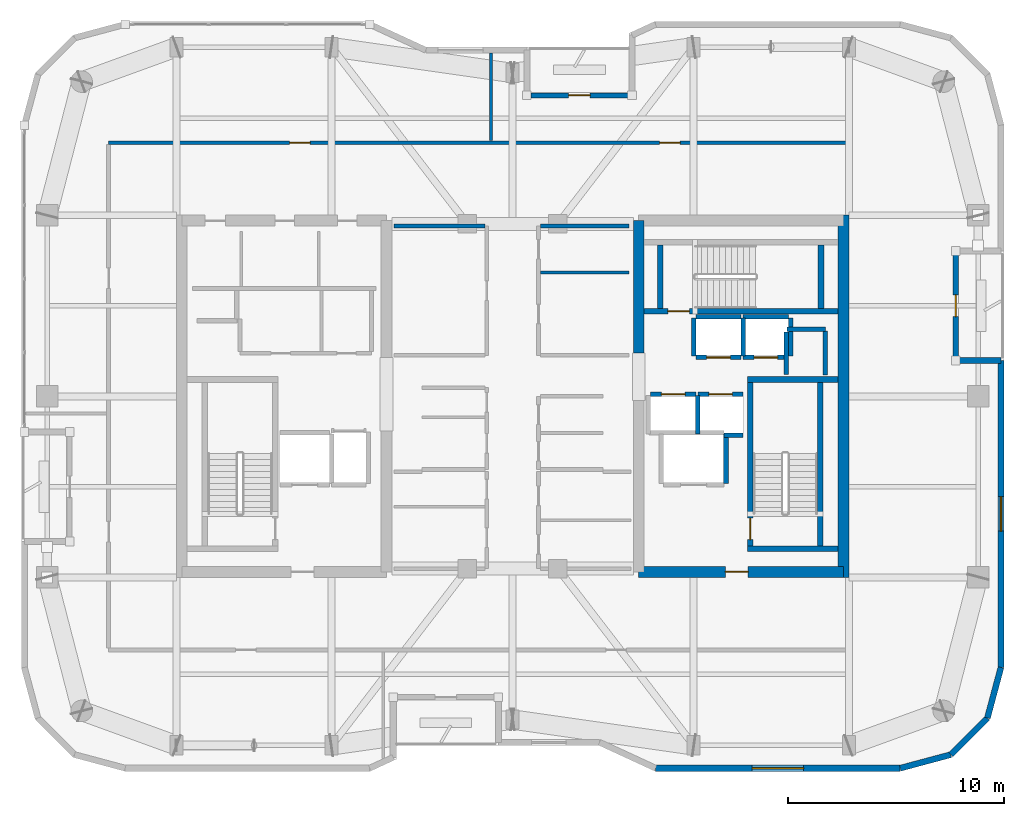
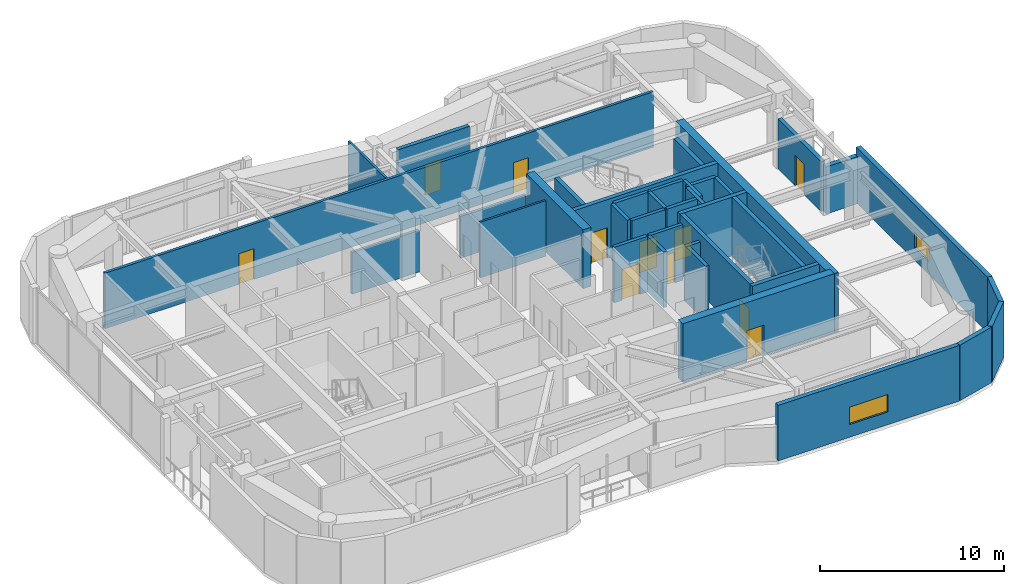
# One storey, part 12 of 15: 38 walls, 11 doors, 2 windows, 13 openings.
"""IFC4 building model written with IfcOpenShell, lengths in metres."""

from ifc_helpers import new_model, si_unit, direction, frame, frame_2d, origin, place, context, subcontext, project, spatial, rectangle, extrude, material, layer, layer_set, type_object, element, fill, save


model = new_model("IFC4")

# Units and contexts
model_context = context("Model", 3, precision=1e-05, world=origin(), true_north=direction((0.0, 1.0)))
body_context = subcontext(model_context, "Body", "Model", "MODEL_VIEW")
ifc_project = project(units=[si_unit("LENGTHUNIT", "METRE"), si_unit("AREAUNIT", "SQUARE_METRE"), si_unit("VOLUMEUNIT", "CUBIC_METRE"), si_unit("PLANEANGLEUNIT", "RADIAN"), si_unit("MASSUNIT", "GRAM", prefix="KILO")], contexts=[model_context])

# Site, building, storey
site_placement = place(None, origin())
site = spatial("IfcSite", under=ifc_project, at=site_placement, CompositionType="ELEMENT")
building_placement = place(site_placement, origin())
building = spatial("IfcBuilding", under=site, at=building_placement, Name="Kiyonajd Concourse Tower", CompositionType="ELEMENT")
storey_placement = place(building_placement, frame((0.0, 0.0, 290.10009765625)))
storey = spatial("IfcBuildingStorey", under=building, at=storey_placement, Name="L73", CompositionType="ELEMENT", Elevation=290.10009765625)

# Walls
ifc_material_1 = material(Name="Concrete C60/75", Category="concrete")
ifc_layer_1 = layer(ifc_material_1, 0.5)
ifc_layer_set_1 = layer_set([ifc_layer_1], Name="Concrete C60/75")
wall_type_1 = type_object("IfcWallType", Name="WL-CORE-500", PredefinedType="SHEAR", material=ifc_layer_set_1)
wall_1_placement = place(storey_placement, frame((53.85009765625, 38.0, 0.0), z_axis=(0.0, 0.0, 1.0), x_axis=(0.0, 1.0, 0.0)))
element("IfcWall", 1, at=wall_1_placement, inside=storey, type_object=wall_type_1, Name="L73 East Core Inner North Shear Wall", PredefinedType="SHEAR", context=body_context, shape_type="SweptSolid", body=[
    extrude(rectangle(XDim=6.14990234375, YDim=0.5, at=frame_2d((3.074951171875, 0.0))), origin(), (0.0, 0.0, 1.0), 3.89990234375),
])
wall_2_placement = place(storey_placement, frame((63.35009765625, 27.60009765625, 0.0), z_axis=(0.0, 0.0, 1.0), x_axis=(0.0, 1.0, 0.0)))
element("IfcWall", 2, at=wall_2_placement, inside=storey, type_object=wall_type_1, Name="L73 East Core Outer Shear Wall", PredefinedType="SHEAR", context=body_context, shape_type="SweptSolid", body=[
    extrude(rectangle(XDim=16.7998046875, YDim=0.5, at=frame_2d((8.39990234375, 0.0))), origin(), (0.0, 0.0, 1.0), 3.89990234375),
])

# Wall, opening, door
wall_3_placement = place(storey_placement, frame((53.85009765625, 27.85009765625, 0.0), z_axis=(0.0, 0.0, 1.0), x_axis=(1.0, 0.0, 0.0)))
wall_3 = element("IfcWall", 3, at=wall_3_placement, inside=storey, type_object=wall_type_1, Name="L73 East Core South Shear Wall", PredefinedType="SHEAR", context=body_context, shape_type="SweptSolid", body=[
    extrude(rectangle(XDim=9.5, YDim=0.5, at=frame_2d((4.75, 0.0))), origin(), (0.0, 0.0, 1.0), 3.89990234375),
])
opening_1_placement = place(wall_3_placement, frame((4.02490234375, 0.0, 0.0)))
opening_1 = element("IfcOpeningElement", 4, at=opening_1_placement, cuts=wall_3, Name="Opening DF5", PredefinedType="OPENING", context=body_context, shape_type="SweptSolid", body=[
    extrude(rectangle(XDim=1.050048828125, YDim=2.0400390625, at=frame_2d((0.52490234375, 1.02001953125))), frame((0.0, 0.260009765625, 0.0), z_axis=(0.0, -1.0, 0.0), x_axis=(1.0, 0.0, 0.0)), (0.0, 0.0, 1.0), 0.52001953125),
])
ifc_material_2 = material(Name="Brushed Stainless Steel Cab Assembly", Category="steel")
door_type_1 = type_object("IfcDoorType", Name="DR-FD45-1050", OperationType="NOTDEFINED", PredefinedType="DOOR", material=ifc_material_2)
door_1_placement = place(opening_1_placement, origin())
door_1 = element("IfcDoor", 5, at=door_1_placement, inside=storey, type_object=door_type_1, Name="L73 Firefighting Lift Lobby E Smoke Door", OperationType="SINGLE_SWING_RIGHT", OverallHeight=2.0400390625, OverallWidth=1.050048828125, PredefinedType="DOOR", context=body_context, shape_type="SweptSolid", body=[
    extrude(rectangle(XDim=1.050048828125, YDim=2.0400390625, at=frame_2d((0.52490234375, 1.02001953125))), frame((0.0, 0.02490234375, 0.0), z_axis=(0.0, -1.0, 0.0), x_axis=(1.0, 0.0, 0.0)), (0.0, 0.0, 1.0), 0.050048828125),
])
fill(opening_1, door_1)

# Wall
ifc_material_3 = material(Name="Precast concrete C50/60", Category="concrete")
ifc_layer_2 = layer(ifc_material_3, 0.280029296875)
ifc_layer_set_2 = layer_set([ifc_layer_2], Name="Precast concrete C50/60")
wall_type_2 = type_object("IfcWallType", Name="WL-EXT-280", PredefinedType="SOLIDWALL", material=ifc_layer_set_2)
wall_4_placement = place(storey_placement, frame((68.56005859375, 37.659912109375, 0.0), z_axis=(0.0, 0.0, 1.0), x_axis=(1.0, 0.0, 0.0)))
element("IfcWall", 6, at=wall_4_placement, inside=storey, type_object=wall_type_2, Name="L73 Exterior Concrete Frame Wall 23", PredefinedType="SOLIDWALL", context=body_context, shape_type="SweptSolid", body=[
    extrude(rectangle(XDim=2.099853515625, YDim=0.280029296875, at=frame_2d((1.0498046875, 0.0))), origin(), (0.0, 0.0, 1.0), 3.1259765625),
])

# Wall, opening, window
wall_5_placement = place(storey_placement, frame((70.659912109375, 37.659912109375, 0.0), z_axis=(0.0, 0.0, 1.0), x_axis=(0.0, -1.0, 0.0)))
wall_5 = element("IfcWall", 7, at=wall_5_placement, inside=storey, type_object=wall_type_2, Name="L73 Exterior Concrete Frame Wall 24", PredefinedType="SOLIDWALL", context=body_context, shape_type="SweptSolid", body=[
    extrude(rectangle(XDim=14.241455078125, YDim=0.280029296875, at=frame_2d((7.12060546875, 0.0))), origin(), (0.0, 0.0, 1.0), 3.679931640625),
])
opening_2_placement = place(wall_5_placement, frame((6.321044921875, 0.0, 0.85009765625)))
opening_2 = element("IfcOpeningElement", 8, at=opening_2_placement, cuts=wall_5, Name="Opening WN6", PredefinedType="OPENING", context=body_context, shape_type="SweptSolid", body=[
    extrude(rectangle(XDim=1.60009765625, YDim=1.0, at=frame_2d((0.800048828125, 0.5))), frame((0.0, 0.14990234375, 0.0), z_axis=(0.0, -1.0, 0.0), x_axis=(1.0, 0.0, 0.0)), (0.0, 0.0, 1.0), 0.300048828125),
])
ifc_material_4 = material(Name="Double Low-E Insulated Glass", Category="glass")
window_type_1 = type_object("IfcWindowType", Name="WN-VIS-1600x1000", PartitioningType="SINGLE_PANEL", PredefinedType="WINDOW", material=ifc_material_4)
window_1_placement = place(opening_2_placement, origin())
window_1 = element("IfcWindow", 9, at=window_1_placement, inside=storey, type_object=window_type_1, Name="L73 Modular Facade Vision Window 24", OverallHeight=1.0, OverallWidth=1.60009765625, PartitioningType="SINGLE_PANEL", PredefinedType="WINDOW", context=body_context, shape_type="SweptSolid", body=[
    extrude(rectangle(XDim=1.60009765625, YDim=1.0, at=frame_2d((0.800048828125, 0.5))), frame((0.0, 0.030029296875, 0.0), z_axis=(0.0, -1.0, 0.0), x_axis=(1.0, 0.0, 0.0)), (0.0, 0.0, 1.0), 0.06005859375),
])
fill(opening_2, window_1)

# Walls
wall_6_placement = place(storey_placement, frame((70.659912109375, 23.41845703125, 0.0), z_axis=(0.0, 0.0, 1.0), x_axis=(-0.258751159445, -0.965944013639, 0.0)))
element("IfcWall", 10, at=wall_6_placement, inside=storey, type_object=wall_type_2, Name="L73 Exterior Concrete Frame Wall 25", PredefinedType="SOLIDWALL", context=body_context, shape_type="SweptSolid", body=[
    extrude(rectangle(XDim=2.4287109375, YDim=0.280029296875, at=frame_2d((1.21435546875, 0.0))), origin(), (0.0, 0.0, 1.0), 3.679931640625),
])
wall_7_placement = place(storey_placement, frame((70.031494140625, 21.072509765625, 0.0), z_axis=(0.0, 0.0, 1.0), x_axis=(-0.707106781187, -0.707106781187, 0.0)))
element("IfcWall", 11, at=wall_7_placement, inside=storey, type_object=wall_type_2, Name="L73 Exterior Concrete Frame Wall 26", PredefinedType="SOLIDWALL", context=body_context, shape_type="SweptSolid", body=[
    extrude(rectangle(XDim=2.409912109375, YDim=0.280029296875, at=frame_2d((1.205078125, 0.0))), origin(), (0.0, 0.0, 1.0), 3.679931640625),
])
wall_8_placement = place(storey_placement, frame((68.327392578125, 19.368408203125, 0.0), z_axis=(0.0, 0.0, 1.0), x_axis=(-0.965937282298, -0.25877628691, 0.0)))
element("IfcWall", 12, at=wall_8_placement, inside=storey, type_object=wall_type_2, Name="L73 Exterior Concrete Frame Wall 27", PredefinedType="SOLIDWALL", context=body_context, shape_type="SweptSolid", body=[
    extrude(rectangle(XDim=2.428466796875, YDim=0.280029296875, at=frame_2d((1.21435546875, 0.0))), origin(), (0.0, 0.0, 1.0), 3.679931640625),
])

# Wall, opening, window
wall_9_placement = place(storey_placement, frame((65.981689453125, 18.739990234375, 0.0), z_axis=(0.0, 0.0, 1.0), x_axis=(-1.0, 0.0, 0.0)))
wall_9 = element("IfcWall", 13, at=wall_9_placement, inside=storey, type_object=wall_type_2, Name="L73 Exterior Concrete Frame Wall 28", PredefinedType="SOLIDWALL", context=body_context, shape_type="SweptSolid", body=[
    extrude(rectangle(XDim=11.35107421875, YDim=0.280029296875, at=frame_2d((5.675537109375, 0.0))), origin(), (0.0, 0.0, 1.0), 3.679931640625),
])
opening_3_placement = place(wall_9_placement, frame((4.47509765625, 0.0, 0.85009765625)))
opening_3 = element("IfcOpeningElement", 14, at=opening_3_placement, cuts=wall_9, Name="Opening WN4", PredefinedType="OPENING", context=body_context, shape_type="SweptSolid", body=[
    extrude(rectangle(XDim=2.39990234375, YDim=1.14990234375, at=frame_2d((1.199951171875, 0.574951171875))), frame((0.0, 0.14990234375, 0.0), z_axis=(0.0, -1.0, 0.0), x_axis=(1.0, 0.0, 0.0)), (0.0, 0.0, 1.0), 0.300048828125),
])
window_type_2 = type_object("IfcWindowType", Name="WN-VIS-2400x1150", PartitioningType="SINGLE_PANEL", PredefinedType="WINDOW", material=ifc_material_4)
window_2_placement = place(opening_3_placement, origin())
window_2 = element("IfcWindow", 15, at=window_2_placement, inside=storey, type_object=window_type_2, Name="L73 Modular Facade Vision Window 28", OverallHeight=1.14990234375, OverallWidth=2.39990234375, PartitioningType="SINGLE_PANEL", PredefinedType="WINDOW", context=body_context, shape_type="SweptSolid", body=[
    extrude(rectangle(XDim=2.39990234375, YDim=1.14990234375, at=frame_2d((1.199951171875, 0.574951171875))), frame((0.0, 0.030029296875, 0.0), z_axis=(0.0, -1.0, 0.0), x_axis=(1.0, 0.0, 0.0)), (0.0, 0.0, 1.0), 0.06005859375),
])
fill(opening_3, window_2)

# Wall, opening, door
ifc_layer_3 = layer(ifc_material_3, 0.239990234375)
ifc_layer_set_3 = layer_set([ifc_layer_3], Name="Precast concrete C50/60")
wall_type_3 = type_object("IfcWallType", Name="WL-LOG-240", PredefinedType="SOLIDWALL", material=ifc_layer_set_3)
wall_10_placement = place(storey_placement, frame((48.85498046875, 49.9599609375, 0.0), z_axis=(0.0, 0.0, 1.0), x_axis=(1.0, 0.0, 0.0)))
wall_10 = element("IfcWall", 16, at=wall_10_placement, inside=storey, type_object=wall_type_3, Name="L73 Recessed Loggia Thermal Wall LOG-N", PredefinedType="SOLIDWALL", context=body_context, shape_type="SweptSolid", body=[
    extrude(rectangle(XDim=4.489990234375, YDim=0.239990234375, at=frame_2d((2.2451171875, 0.0))), origin(), (0.0, 0.0, 1.0), 3.679931640625),
])
opening_4_placement = place(wall_10_placement, frame((1.7451171875, 0.0, 0.0)))
opening_4 = element("IfcOpeningElement", 17, at=opening_4_placement, cuts=wall_10, Name="Opening DL1", PredefinedType="OPENING", context=body_context, shape_type="SweptSolid", body=[
    extrude(rectangle(XDim=1.0, YDim=2.02001953125, at=frame_2d((0.5, 1.010009765625))), frame((0.0, 0.1298828125, 0.0), z_axis=(0.0, -1.0, 0.0), x_axis=(1.0, 0.0, 0.0)), (0.0, 0.0, 1.0), 0.260009765625),
])
ifc_material_5 = material(Name="Thermally Broken Anodised Aluminium", Category="aluminium")
door_type_2 = type_object("IfcDoorType", Name="DR-LOG-1000", OperationType="NOTDEFINED", PredefinedType="DOOR", material=ifc_material_5)
door_2_placement = place(opening_4_placement, origin())
door_2 = element("IfcDoor", 18, at=door_2_placement, inside=storey, type_object=door_type_2, Name="L73 Engawa Loggia Access Door LOG-N", OperationType="SINGLE_SWING_RIGHT", OverallHeight=2.02001953125, OverallWidth=1.0, PredefinedType="DOOR", context=body_context, shape_type="SweptSolid", body=[
    extrude(rectangle(XDim=1.0, YDim=2.02001953125, at=frame_2d((0.5, 1.010009765625))), frame((0.0, 0.02490234375, 0.0), z_axis=(0.0, -1.0, 0.0), x_axis=(1.0, 0.0, 0.0)), (0.0, 0.0, 1.0), 0.050048828125),
])
fill(opening_4, door_2)

wall_11_placement = place(storey_placement, frame((68.56005859375, 42.544921875, 0.0), z_axis=(0.0, 0.0, 1.0), x_axis=(0.0, -1.0, 0.0)))
wall_11 = element("IfcWall", 19, at=wall_11_placement, inside=storey, type_object=wall_type_3, Name="L73 Recessed Loggia Thermal Wall LOG-E", PredefinedType="SOLIDWALL", context=body_context, shape_type="SweptSolid", body=[
    extrude(rectangle(XDim=4.68994140625, YDim=0.239990234375, at=frame_2d((2.344970703125, 0.0))), origin(), (0.0, 0.0, 1.0), 3.310791015625),
])
opening_5_placement = place(wall_11_placement, frame((1.844970703125, 0.0, 0.0)))
opening_5 = element("IfcOpeningElement", 20, at=opening_5_placement, cuts=wall_11, Name="Opening DL1", PredefinedType="OPENING", context=body_context, shape_type="SweptSolid", body=[
    extrude(rectangle(XDim=1.0, YDim=2.02001953125, at=frame_2d((0.5, 1.010009765625))), frame((0.0, 0.1298828125, 0.0), z_axis=(0.0, -1.0, 0.0), x_axis=(1.0, 0.0, 0.0)), (0.0, 0.0, 1.0), 0.260009765625),
])
door_3_placement = place(opening_5_placement, origin())
door_3 = element("IfcDoor", 21, at=door_3_placement, inside=storey, type_object=door_type_2, Name="L73 Engawa Loggia Access Door LOG-E", OperationType="SINGLE_SWING_LEFT", OverallHeight=2.02001953125, OverallWidth=1.0, PredefinedType="DOOR", context=body_context, shape_type="SweptSolid", body=[
    extrude(rectangle(XDim=1.0, YDim=2.02001953125, at=frame_2d((0.5, 1.010009765625))), frame((0.0, 0.02490234375, 0.0), z_axis=(0.0, -1.0, 0.0), x_axis=(1.0, 0.0, 0.0)), (0.0, 0.0, 1.0), 0.050048828125),
])
fill(opening_5, door_3)

# Walls
ifc_material_6 = material(Name="Gypsum Board on Cold-Formed Steel Stud", Category="steel")
ifc_layer_4 = layer(ifc_material_6, 0.125)
ifc_layer_set_4 = layer_set([ifc_layer_4], Name="Gypsum Board on Cold-Formed Steel Stud")
wall_type_4 = type_object("IfcWallType", Name="WL-PART-125", PredefinedType="PARTITIONING", material=ifc_layer_set_4)
wall_12_placement = place(storey_placement, frame((49.287109375, 41.739990234375, 0.0), z_axis=(0.0, 0.0, 1.0), x_axis=(1.0, 0.0, 0.0)))
element("IfcWall", 22, at=wall_12_placement, inside=storey, type_object=wall_type_4, Name="L73 Interior Partition Wall", PredefinedType="PARTITIONING", context=body_context, shape_type="SweptSolid", body=[
    extrude(rectangle(XDim=4.11279296875, YDim=0.125, at=frame_2d((2.056396484375, 0.0))), origin(), (0.0, 0.0, 1.0), 3.679931640625),
])
wall_13_placement = place(storey_placement, frame((47.0, 47.85693359375, 0.0), z_axis=(0.0, 0.0, 1.0), x_axis=(0.0, 1.0, 0.0)))
element("IfcWall", 23, at=wall_13_placement, inside=storey, type_object=wall_type_4, Name="L73 Interior Partition Wall", PredefinedType="PARTITIONING", context=body_context, shape_type="SweptSolid", body=[
    extrude(rectangle(XDim=4.068115234375, YDim=0.125, at=frame_2d((2.0341796875, 0.0))), origin(), (0.0, 0.0, 1.0), 3.679931640625),
])
ifc_layer_5 = layer(ifc_material_6, 0.2099609375)
ifc_layer_set_5 = layer_set([ifc_layer_5], Name="Gypsum Board on Cold-Formed Steel Stud")
wall_type_5 = type_object("IfcWallType", Name="WL-SHAFT-210", PredefinedType="PARTITIONING", material=ifc_layer_set_5)
wall_14_placement = place(storey_placement, frame((60.719970703125, 39.10009765625, 0.0), z_axis=(0.0, 0.0, 1.0), x_axis=(1.0, 0.0, 0.0)))
element("IfcWall", 24, at=wall_14_placement, inside=storey, type_object=wall_type_5, Name="L73 Shaft Enclosure Wall", PredefinedType="PARTITIONING", context=body_context, shape_type="SweptSolid", body=[
    extrude(rectangle(XDim=1.800048828125, YDim=0.2099609375, at=frame_2d((0.89990234375, 0.0))), origin(), (0.0, 0.0, 1.0), 3.679931640625),
])
wall_15_placement = place(storey_placement, frame((60.699951171875, 37.02001953125, 0.0), z_axis=(0.0, 0.0, 1.0), x_axis=(0.0, 1.0, 0.0)))
element("IfcWall", 25, at=wall_15_placement, inside=storey, type_object=wall_type_5, Name="L73 Shaft Enclosure Wall", PredefinedType="PARTITIONING", context=body_context, shape_type="SweptSolid", body=[
    extrude(rectangle(XDim=1.9599609375, YDim=0.2099609375, at=frame_2d((0.97998046875, 0.0))), origin(), (0.0, 0.0, 1.0), 3.679931640625),
])
wall_16_placement = place(storey_placement, frame((62.5, 36.97998046875, 0.0), z_axis=(0.0, 0.0, 1.0), x_axis=(0.0, 1.0, 0.0)))
element("IfcWall", 26, at=wall_16_placement, inside=storey, type_object=wall_type_5, Name="L73 Shaft Enclosure Wall", PredefinedType="PARTITIONING", context=body_context, shape_type="SweptSolid", body=[
    extrude(rectangle(XDim=2.0400390625, YDim=0.2099609375, at=frame_2d((1.02001953125, 0.0))), origin(), (0.0, 0.0, 1.0), 3.679931640625),
])
wall_17_placement = place(storey_placement, frame((57.89990234375, 31.9599609375, 0.0), z_axis=(0.0, 0.0, 1.0), x_axis=(0.0, 1.0, 0.0)))
element("IfcWall", 27, at=wall_17_placement, inside=storey, type_object=wall_type_5, Name="L73 Shaft Enclosure Wall", PredefinedType="PARTITIONING", context=body_context, shape_type="SweptSolid", body=[
    extrude(rectangle(XDim=2.280029296875, YDim=0.2099609375, at=frame_2d((1.14013671875, 0.0))), origin(), (0.0, 0.0, 1.0), 3.679931640625),
])

# Wall, opening, door
wall_18_placement = place(storey_placement, frame((54.39990234375, 36.10009765625, 0.0), z_axis=(0.0, 0.0, 1.0), x_axis=(1.0, 0.0, 0.0)))
wall_18 = element("IfcWall", 28, at=wall_18_placement, inside=storey, type_object=wall_type_5, Name="L73 Shaft Enclosure Wall", PredefinedType="PARTITIONING", context=body_context, shape_type="SweptSolid", body=[
    extrude(rectangle(XDim=2.10009765625, YDim=0.2099609375, at=frame_2d((1.050048828125, 0.0))), origin(), (0.0, 0.0, 1.0), 3.679931640625),
])
opening_6_placement = place(wall_18_placement, frame((0.5, 0.0, 0.0)))
opening_6 = element("IfcOpeningElement", 29, at=opening_6_placement, cuts=wall_18, Name="Opening LD1", PredefinedType="OPENING", context=body_context, shape_type="SweptSolid", body=[
    extrude(rectangle(XDim=1.10009765625, YDim=2.0400390625, at=frame_2d((0.550048828125, 1.02001953125))), frame((0.0, 0.114990234375, 0.0), z_axis=(0.0, -1.0, 0.0), x_axis=(1.0, 0.0, 0.0)), (0.0, 0.0, 1.0), 0.22998046875),
])
door_type_3 = type_object("IfcDoorType", Name="DR-LD-1100", OperationType="DOUBLE_DOOR_SLIDING", PredefinedType="DOOR", material=ifc_material_2)
door_4_placement = place(opening_6_placement, origin())
door_4 = element("IfcDoor", 30, at=door_4_placement, inside=storey, type_object=door_type_3, Name="L73 Lift PL-H1 Sliding Landing Door", OperationType="DOUBLE_DOOR_SLIDING", OverallHeight=2.0400390625, OverallWidth=1.10009765625, PredefinedType="DOOR", context=body_context, shape_type="SweptSolid", body=[
    extrude(rectangle(XDim=1.10009765625, YDim=2.0400390625, at=frame_2d((0.550048828125, 1.02001953125))), frame((0.0, 0.02490234375, 0.0), z_axis=(0.0, -1.0, 0.0), x_axis=(1.0, 0.0, 0.0)), (0.0, 0.0, 1.0), 0.050048828125),
])
fill(opening_6, door_4)

# Wall
wall_19_placement = place(storey_placement, frame((56.60009765625, 34.260009765625, 0.0), z_axis=(0.0, 0.0, 1.0), x_axis=(0.0, 1.0, 0.0)))
element("IfcWall", 31, at=wall_19_placement, inside=storey, type_object=wall_type_5, Name="L73 Shaft Enclosure Wall", PredefinedType="PARTITIONING", context=body_context, shape_type="SweptSolid", body=[
    extrude(rectangle(XDim=1.780029296875, YDim=0.2099609375, at=frame_2d((0.89013671875, 0.0))), origin(), (0.0, 0.0, 1.0), 3.679931640625),
])

# Wall, opening, door
wall_20_placement = place(storey_placement, frame((56.60009765625, 36.10009765625, 0.0), z_axis=(0.0, 0.0, 1.0), x_axis=(1.0, 0.0, 0.0)))
wall_20 = element("IfcWall", 32, at=wall_20_placement, inside=storey, type_object=wall_type_5, Name="L73 Shaft Enclosure Wall", PredefinedType="PARTITIONING", context=body_context, shape_type="SweptSolid", body=[
    extrude(rectangle(XDim=2.099853515625, YDim=0.2099609375, at=frame_2d((1.0498046875, 0.0))), origin(), (0.0, 0.0, 1.0), 3.679931640625),
])
opening_7_placement = place(wall_20_placement, frame((0.5, 0.0, 0.0)))
opening_7 = element("IfcOpeningElement", 33, at=opening_7_placement, cuts=wall_20, Name="Opening LD1", PredefinedType="OPENING", context=body_context, shape_type="SweptSolid", body=[
    extrude(rectangle(XDim=1.10009765625, YDim=2.0400390625, at=frame_2d((0.550048828125, 1.02001953125))), frame((0.0, 0.114990234375, 0.0), z_axis=(0.0, -1.0, 0.0), x_axis=(1.0, 0.0, 0.0)), (0.0, 0.0, 1.0), 0.22998046875),
])
door_5_placement = place(opening_7_placement, origin())
door_5 = element("IfcDoor", 34, at=door_5_placement, inside=storey, type_object=door_type_3, Name="L73 Lift PL-H2 Sliding Landing Door", OperationType="DOUBLE_DOOR_SLIDING", OverallHeight=2.0400390625, OverallWidth=1.10009765625, PredefinedType="DOOR", context=body_context, shape_type="SweptSolid", body=[
    extrude(rectangle(XDim=1.10009765625, YDim=2.0400390625, at=frame_2d((0.550048828125, 1.02001953125))), frame((0.0, 0.02490234375, 0.0), z_axis=(0.0, -1.0, 0.0), x_axis=(1.0, 0.0, 0.0)), (0.0, 0.0, 1.0), 0.050048828125),
])
fill(opening_7, door_5)

# Wall
wall_21_placement = place(storey_placement, frame((57.800048828125, 34.199951171875, 0.0), z_axis=(0.0, 0.0, 1.0), x_axis=(1.0, 0.0, 0.0)))
element("IfcWall", 35, at=wall_21_placement, inside=storey, type_object=wall_type_5, Name="L73 Shaft Enclosure Wall", PredefinedType="PARTITIONING", context=body_context, shape_type="SweptSolid", body=[
    extrude(rectangle(XDim=0.89990234375, YDim=0.2099609375, at=frame_2d((0.449951171875, 0.0))), origin(), (0.0, 0.0, 1.0), 3.679931640625),
])

# Wall, opening, door
wall_22_placement = place(storey_placement, frame((56.5, 37.800048828125, 0.0), z_axis=(0.0, 0.0, 1.0), x_axis=(1.0, 0.0, 0.0)))
wall_22 = element("IfcWall", 36, at=wall_22_placement, inside=storey, type_object=wall_type_5, Name="L73 Shaft Enclosure Wall", PredefinedType="PARTITIONING", context=body_context, shape_type="SweptSolid", body=[
    extrude(rectangle(XDim=2.10009765625, YDim=0.2099609375, at=frame_2d((1.050048828125, 0.0))), origin(), (0.0, 0.0, 1.0), 3.679931640625),
])
opening_8_placement = place(wall_22_placement, frame((0.5, 0.0, 0.0)))
opening_8 = element("IfcOpeningElement", 37, at=opening_8_placement, cuts=wall_22, Name="Opening LD1", PredefinedType="OPENING", context=body_context, shape_type="SweptSolid", body=[
    extrude(rectangle(XDim=1.10009765625, YDim=2.0400390625, at=frame_2d((0.550048828125, 1.02001953125))), frame((0.0, 0.114990234375, 0.0), z_axis=(0.0, -1.0, 0.0), x_axis=(1.0, 0.0, 0.0)), (0.0, 0.0, 1.0), 0.22998046875),
])
door_6_placement = place(opening_8_placement, origin())
door_6 = element("IfcDoor", 38, at=door_6_placement, inside=storey, type_object=door_type_3, Name="L73 Lift PL-H3 Sliding Landing Door", OperationType="DOUBLE_DOOR_SLIDING", OverallHeight=2.0400390625, OverallWidth=1.10009765625, PredefinedType="DOOR", context=body_context, shape_type="SweptSolid", body=[
    extrude(rectangle(XDim=1.10009765625, YDim=2.0400390625, at=frame_2d((0.550048828125, 1.02001953125))), frame((0.0, 0.02490234375, 0.0), z_axis=(0.0, -1.0, 0.0), x_axis=(1.0, 0.0, 0.0)), (0.0, 0.0, 1.0), 0.050048828125),
])
fill(opening_8, door_6)

# Walls
wall_23_placement = place(storey_placement, frame((56.5, 39.699951171875, 0.0), z_axis=(0.0, 0.0, 1.0), x_axis=(1.0, 0.0, 0.0)))
element("IfcWall", 39, at=wall_23_placement, inside=storey, type_object=wall_type_5, Name="L73 Shaft Enclosure Wall", PredefinedType="PARTITIONING", context=body_context, shape_type="SweptSolid", body=[
    extrude(rectangle(XDim=2.10009765625, YDim=0.2099609375, at=frame_2d((1.050048828125, 0.0))), origin(), (0.0, 0.0, 1.0), 3.679931640625),
])
for number, where, z_axis, x_axis, name in (
    (40, (56.39990234375, 37.860107421875, 0.0), (0.0, 0.0, 1.0), (0.0, 1.0, 0.0), "L73 Shaft Enclosure Wall"),
    (41, (58.699951171875, 37.860107421875, 0.0), (0.0, 0.0, 1.0), (0.0, 1.0, 0.0), "L73 Shaft Enclosure Wall"),
):
    element("IfcWall", number, at=place(storey_placement, frame(where, z_axis=z_axis, x_axis=x_axis)), inside=storey, type_object=wall_type_5, Name=name, PredefinedType="PARTITIONING", context=body_context, shape_type="SweptSolid", body=[
        extrude(rectangle(XDim=1.77978515625, YDim=0.2099609375, at=frame_2d((0.889892578125, 0.0))), origin(), (0.0, 0.0, 1.0), 3.679931640625),
    ])

# Wall, opening, door
wall_24_placement = place(storey_placement, frame((58.699951171875, 37.800048828125, 0.0), z_axis=(0.0, 0.0, 1.0), x_axis=(1.0, 0.0, 0.0)))
wall_24 = element("IfcWall", 42, at=wall_24_placement, inside=storey, type_object=wall_type_5, Name="L73 Shaft Enclosure Wall", PredefinedType="PARTITIONING", context=body_context, shape_type="SweptSolid", body=[
    extrude(rectangle(XDim=2.10009765625, YDim=0.2099609375, at=frame_2d((1.050048828125, 0.0))), origin(), (0.0, 0.0, 1.0), 3.679931640625),
])
opening_9_placement = place(wall_24_placement, frame((0.5, 0.0, 0.0)))
opening_9 = element("IfcOpeningElement", 43, at=opening_9_placement, cuts=wall_24, Name="Opening LD1", PredefinedType="OPENING", context=body_context, shape_type="SweptSolid", body=[
    extrude(rectangle(XDim=1.10009765625, YDim=2.0400390625, at=frame_2d((0.550048828125, 1.02001953125))), frame((0.0, 0.114990234375, 0.0), z_axis=(0.0, -1.0, 0.0), x_axis=(1.0, 0.0, 0.0)), (0.0, 0.0, 1.0), 0.22998046875),
])
door_7_placement = place(opening_9_placement, origin())
door_7 = element("IfcDoor", 44, at=door_7_placement, inside=storey, type_object=door_type_3, Name="L73 Lift PL-H4 Sliding Landing Door", OperationType="DOUBLE_DOOR_SLIDING", OverallHeight=2.0400390625, OverallWidth=1.10009765625, PredefinedType="DOOR", context=body_context, shape_type="SweptSolid", body=[
    extrude(rectangle(XDim=1.10009765625, YDim=2.0400390625, at=frame_2d((0.550048828125, 1.02001953125))), frame((0.0, 0.02490234375, 0.0), z_axis=(0.0, -1.0, 0.0), x_axis=(1.0, 0.0, 0.0)), (0.0, 0.0, 1.0), 0.050048828125),
])
fill(opening_9, door_7)

# Walls
wall_25_placement = place(storey_placement, frame((58.699951171875, 39.699951171875, 0.0), z_axis=(0.0, 0.0, 1.0), x_axis=(1.0, 0.0, 0.0)))
element("IfcWall", 45, at=wall_25_placement, inside=storey, type_object=wall_type_5, Name="L73 Shaft Enclosure Wall", PredefinedType="PARTITIONING", context=body_context, shape_type="SweptSolid", body=[
    extrude(rectangle(XDim=2.10009765625, YDim=0.2099609375, at=frame_2d((1.050048828125, 0.0))), origin(), (0.0, 0.0, 1.0), 3.679931640625),
])
wall_26_placement = place(storey_placement, frame((60.89990234375, 37.860107421875, 0.0), z_axis=(0.0, 0.0, 1.0), x_axis=(0.0, 1.0, 0.0)))
element("IfcWall", 46, at=wall_26_placement, inside=storey, type_object=wall_type_5, Name="L73 Shaft Enclosure Wall", PredefinedType="PARTITIONING", context=body_context, shape_type="SweptSolid", body=[
    extrude(rectangle(XDim=1.77978515625, YDim=0.2099609375, at=frame_2d((0.889892578125, 0.0))), origin(), (0.0, 0.0, 1.0), 3.679931640625),
])
ifc_layer_6 = layer(ifc_material_6, 0.169921875)
ifc_layer_set_6 = layer_set([ifc_layer_6], Name="Gypsum Board on Cold-Formed Steel Stud")
wall_type_6 = type_object("IfcWallType", Name="WL-SMK-170", PredefinedType="PARTITIONING", material=ifc_layer_set_6)
wall_27_placement = place(storey_placement, frame((42.5, 43.89990234375, 0.0), z_axis=(0.0, 0.0, 1.0), x_axis=(1.0, 0.0, 0.0)))
element("IfcWall", 47, at=wall_27_placement, inside=storey, type_object=wall_type_6, Name="L73 Interior Partition Wall", PredefinedType="PARTITIONING", context=body_context, shape_type="SweptSolid", body=[
    extrude(rectangle(XDim=4.212890625, YDim=0.169921875, at=frame_2d((2.1064453125, 0.0))), origin(), (0.0, 0.0, 1.0), 2.764892578125),
])
wall_28_placement = place(storey_placement, frame((49.287109375, 43.89990234375, 0.0), z_axis=(0.0, 0.0, 1.0), x_axis=(1.0, 0.0, 0.0)))
element("IfcWall", 48, at=wall_28_placement, inside=storey, type_object=wall_type_6, Name="L73 Interior Partition Wall", PredefinedType="PARTITIONING", context=body_context, shape_type="SweptSolid", body=[
    extrude(rectangle(XDim=4.11279296875, YDim=0.169921875, at=frame_2d((2.056396484375, 0.0))), origin(), (0.0, 0.0, 1.0), 2.764892578125),
])

# Wall, openings, doors
wall_29_placement = place(storey_placement, frame((29.25, 47.77001953125, 0.0), z_axis=(0.0, 0.0, 1.0), x_axis=(1.0, 0.0, 0.0)))
wall_29 = element("IfcWall", 49, at=wall_29_placement, inside=storey, type_object=wall_type_6, Name="L73 Interior Partition Wall", PredefinedType="PARTITIONING", context=body_context, shape_type="SweptSolid", body=[
    extrude(rectangle(XDim=34.35009765625, YDim=0.169921875, at=frame_2d((17.175048828125, 0.0))), origin(), (0.0, 0.0, 1.0), 3.679931640625),
])
opening_10_placement = place(wall_29_placement, frame((8.39990234375, 0.0, 0.0)))
opening_10 = element("IfcOpeningElement", 50, at=opening_10_placement, cuts=wall_29, Name="Opening DI1", PredefinedType="OPENING", context=body_context, shape_type="SweptSolid", body=[
    extrude(rectangle(XDim=0.949951171875, YDim=2.0400390625, at=frame_2d((0.47509765625, 1.02001953125))), frame((0.0, 0.094970703125, 0.0), z_axis=(0.0, -1.0, 0.0), x_axis=(1.0, 0.0, 0.0)), (0.0, 0.0, 1.0), 0.18994140625),
])
opening_11_placement = place(wall_29_placement, frame((25.574951171875, 0.0, 0.0)))
opening_11 = element("IfcOpeningElement", 51, at=opening_11_placement, cuts=wall_29, Name="Opening DI1", PredefinedType="OPENING", context=body_context, shape_type="SweptSolid", body=[
    extrude(rectangle(XDim=0.949951171875, YDim=2.0400390625, at=frame_2d((0.47509765625, 1.02001953125))), frame((0.0, 0.094970703125, 0.0), z_axis=(0.0, -1.0, 0.0), x_axis=(1.0, 0.0, 0.0)), (0.0, 0.0, 1.0), 0.18994140625),
])
ifc_material_7 = material(Name="Natural Oak Acoustic Timber Veneer", Category="wood")
door_type_4 = type_object("IfcDoorType", Name="DR-INT-950", OperationType="NOTDEFINED", PredefinedType="DOOR", material=ifc_material_7)
door_8_placement = place(opening_10_placement, origin())
door_8 = element("IfcDoor", 52, at=door_8_placement, inside=storey, type_object=door_type_4, Name="L73 Interior Door", OperationType="SINGLE_SWING_LEFT", OverallHeight=2.0400390625, OverallWidth=0.949951171875, PredefinedType="DOOR", context=body_context, shape_type="SweptSolid", body=[
    extrude(rectangle(XDim=0.949951171875, YDim=2.0400390625, at=frame_2d((0.47509765625, 1.02001953125))), frame((0.0, 0.02490234375, 0.0), z_axis=(0.0, -1.0, 0.0), x_axis=(1.0, 0.0, 0.0)), (0.0, 0.0, 1.0), 0.050048828125),
])
fill(opening_10, door_8)
door_9_placement = place(opening_11_placement, origin())
door_9 = element("IfcDoor", 53, at=door_9_placement, inside=storey, type_object=door_type_4, Name="L73 Interior Door", OperationType="SINGLE_SWING_RIGHT", OverallHeight=2.0400390625, OverallWidth=0.949951171875, PredefinedType="DOOR", context=body_context, shape_type="SweptSolid", body=[
    extrude(rectangle(XDim=0.949951171875, YDim=2.0400390625, at=frame_2d((0.47509765625, 1.02001953125))), frame((0.0, 0.02490234375, 0.0), z_axis=(0.0, -1.0, 0.0), x_axis=(1.0, 0.0, 0.0)), (0.0, 0.0, 1.0), 0.050048828125),
])
fill(opening_11, door_9)

# Walls
ifc_material_8 = material(Name="Concrete C50/60", Category="concrete")
ifc_layer_7 = layer(ifc_material_8, 0.260009765625)
ifc_layer_set_7 = layer_set([ifc_layer_7], Name="Concrete C50/60")
wall_type_7 = type_object("IfcWallType", Name="WL-STAIR-260", PredefinedType="SHEAR", material=ifc_layer_set_7)
for number, where, z_axis, x_axis, name in (
    (54, (58.889892578125, 28.919921875, 0.0), (0.0, 0.0, 1.0), (1.0, 0.0, 0.0), "L73 Stair ST2 Structural South Wall"),
    (55, (58.889892578125, 36.780029296875, 0.0), (0.0, 0.0, 1.0), (1.0, 0.0, 0.0), "L73 Stair ST2 Structural North Wall"),
):
    element("IfcWall", number, at=place(storey_placement, frame(where, z_axis=z_axis, x_axis=x_axis)), inside=storey, type_object=wall_type_7, Name=name, PredefinedType="SHEAR", context=body_context, shape_type="SweptSolid", body=[
        extrude(rectangle(XDim=4.210205078125, YDim=0.260009765625, at=frame_2d((2.10498046875, 0.0))), origin(), (0.0, 0.0, 1.0), 3.89990234375),
    ])

# Wall, opening, door
wall_30_placement = place(storey_placement, frame((59.02001953125, 29.050048828125, 0.0), z_axis=(0.0, 0.0, 1.0), x_axis=(0.0, 1.0, 0.0)))
wall_30 = element("IfcWall", 56, at=wall_30_placement, inside=storey, type_object=wall_type_7, Name="L73 Stair ST2 Structural West Wall", PredefinedType="SHEAR", context=body_context, shape_type="SweptSolid", body=[
    extrude(rectangle(XDim=7.599853515625, YDim=0.260009765625, at=frame_2d((3.7998046875, 0.0))), origin(), (0.0, 0.0, 1.0), 3.89990234375),
])
opening_12_placement = place(wall_30_placement, frame((0.300048828125, 0.0, 0.0)))
opening_12 = element("IfcOpeningElement", 57, at=opening_12_placement, cuts=wall_30, Name="Opening DF1", PredefinedType="OPENING", context=body_context, shape_type="SweptSolid", body=[
    extrude(rectangle(XDim=1.0, YDim=2.0400390625, at=frame_2d((0.5, 1.02001953125))), frame((0.0, 0.139892578125, 0.0), z_axis=(0.0, -1.0, 0.0), x_axis=(1.0, 0.0, 0.0)), (0.0, 0.0, 1.0), 0.280029296875),
])
door_type_5 = type_object("IfcDoorType", Name="DR-FD90-1000", OperationType="NOTDEFINED", PredefinedType="DOOR", material=ifc_material_2)
door_10_placement = place(opening_12_placement, origin())
door_10 = element("IfcDoor", 58, at=door_10_placement, inside=storey, type_object=door_type_5, Name="L73 Stair ST2 FSAE Door", OperationType="SINGLE_SWING_RIGHT", OverallHeight=2.0400390625, OverallWidth=1.0, PredefinedType="DOOR", context=body_context, shape_type="SweptSolid", body=[
    extrude(rectangle(XDim=1.0, YDim=2.0400390625, at=frame_2d((0.5, 1.02001953125))), frame((0.0, 0.02490234375, 0.0), z_axis=(0.0, -1.0, 0.0), x_axis=(1.0, 0.0, 0.0)), (0.0, 0.0, 1.0), 0.050048828125),
])
fill(opening_12, door_10)

# Wall
wall_31_placement = place(storey_placement, frame((62.280029296875, 29.050048828125, 0.0), z_axis=(0.0, 0.0, 1.0), x_axis=(0.0, 1.0, 0.0)))
element("IfcWall", 59, at=wall_31_placement, inside=storey, type_object=wall_type_7, Name="L73 Stair ST2 Structural East Wall", PredefinedType="SHEAR", context=body_context, shape_type="SweptSolid", body=[
    extrude(rectangle(XDim=7.599853515625, YDim=0.260009765625, at=frame_2d((3.7998046875, 0.0))), origin(), (0.0, 0.0, 1.0), 3.89990234375),
])

# Wall, opening, door
wall_32_placement = place(storey_placement, frame((54.10009765625, 39.949951171875, 0.0), z_axis=(0.0, 0.0, 1.0), x_axis=(1.0, 0.0, 0.0)))
wall_32 = element("IfcWall", 60, at=wall_32_placement, inside=storey, type_object=wall_type_7, Name="L73 Stair ST3 Structural South Wall", PredefinedType="SHEAR", context=body_context, shape_type="SweptSolid", body=[
    extrude(rectangle(XDim=9.0, YDim=0.260009765625, at=frame_2d((4.5, 0.0))), origin(), (0.0, 0.0, 1.0), 3.89990234375),
])
opening_13_placement = place(wall_32_placement, frame((1.10009765625, 0.0, 0.0)))
opening_13 = element("IfcOpeningElement", 61, at=opening_13_placement, cuts=wall_32, Name="Opening DF1", PredefinedType="OPENING", context=body_context, shape_type="SweptSolid", body=[
    extrude(rectangle(XDim=1.0, YDim=2.0400390625, at=frame_2d((0.5, 1.02001953125))), frame((0.0, 0.139892578125, 0.0), z_axis=(0.0, -1.0, 0.0), x_axis=(1.0, 0.0, 0.0)), (0.0, 0.0, 1.0), 0.280029296875),
])
door_11_placement = place(opening_13_placement, origin())
door_11 = element("IfcDoor", 62, at=door_11_placement, inside=storey, type_object=door_type_5, Name="L73 Stair ST3 Enclosure Door", OperationType="SINGLE_SWING_LEFT", OverallHeight=2.0400390625, OverallWidth=1.0, PredefinedType="DOOR", context=body_context, shape_type="SweptSolid", body=[
    extrude(rectangle(XDim=1.0, YDim=2.0400390625, at=frame_2d((0.5, 1.02001953125))), frame((0.0, 0.02490234375, 0.0), z_axis=(0.0, -1.0, 0.0), x_axis=(1.0, 0.0, 0.0)), (0.0, 0.0, 1.0), 0.050048828125),
])
fill(opening_13, door_11)

# Walls
for number, where, z_axis, x_axis, name in (
    (63, (54.85009765625, 40.080078125, 0.0), (0.0, 0.0, 1.0), (0.0, 1.0, 0.0), "L73 Stair ST3 Structural West Wall"),
    (64, (62.31005859375, 40.080078125, 0.0), (0.0, 0.0, 1.0), (0.0, 1.0, 0.0), "L73 Stair ST3 Structural East Wall"),
):
    element("IfcWall", number, at=place(storey_placement, frame(where, z_axis=z_axis, x_axis=x_axis)), inside=storey, type_object=wall_type_7, Name=name, PredefinedType="SHEAR", context=body_context, shape_type="SweptSolid", body=[
        extrude(rectangle(XDim=2.93994140625, YDim=0.260009765625, at=frame_2d((1.469970703125, 0.0))), origin(), (0.0, 0.0, 1.0), 3.89990234375),
    ])

save(model, "model.ifc")
